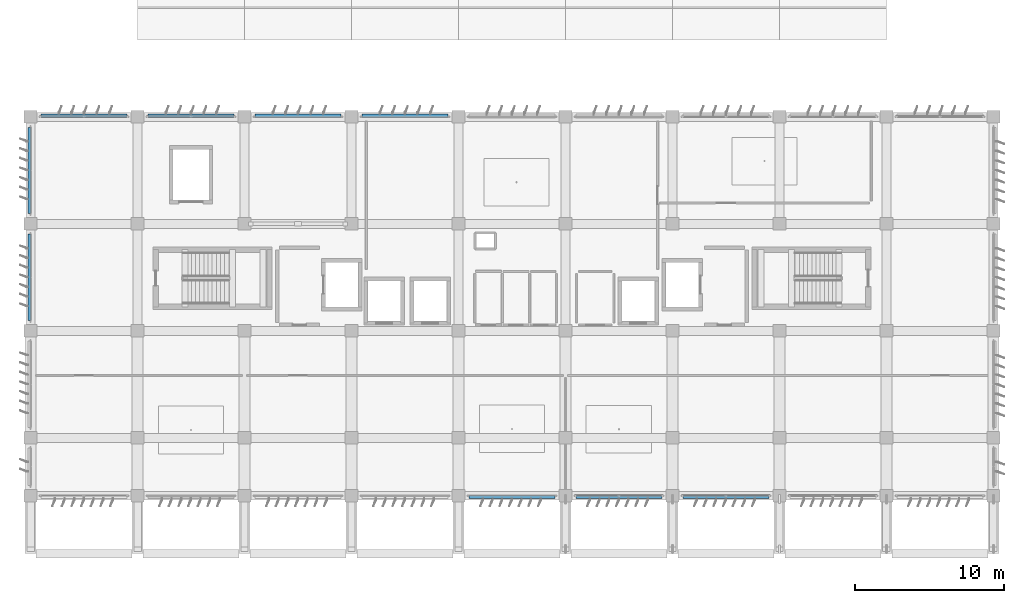
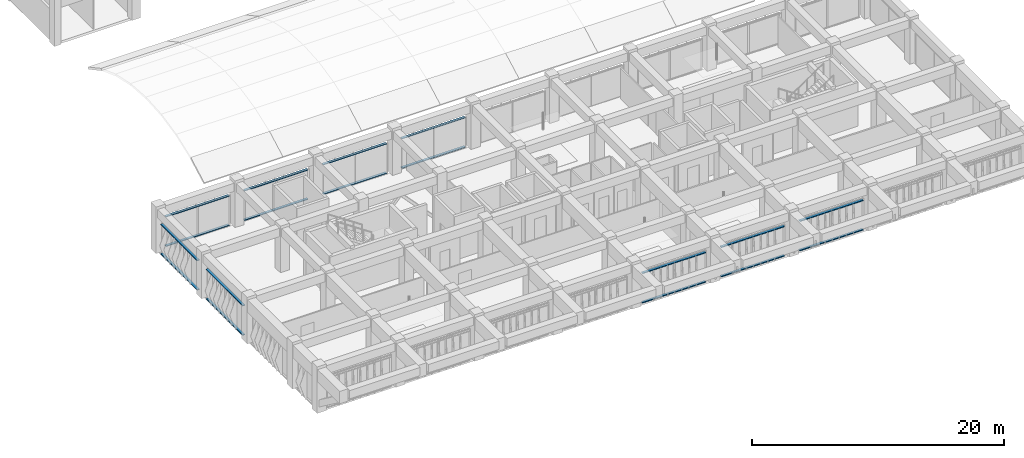
# One storey, part 41 of 56: 18 discrete accessories.
"""IFC4 building model written with IfcOpenShell, lengths in metres."""

from ifc_helpers import new_model, si_unit, direction, frame, origin, origin_2d, place, context, subcontext, project, spatial, rectangle, extrude, material, type_object, element, save


model = new_model("IFC4")

# Units and contexts
model_context = context("Model", 3, precision=1e-05, world=origin(), true_north=direction((0.0, 1.0)))
body_context = subcontext(model_context, "Body", "Model", "MODEL_VIEW")
ifc_project = project(units=[si_unit("LENGTHUNIT", "METRE"), si_unit("AREAUNIT", "SQUARE_METRE"), si_unit("VOLUMEUNIT", "CUBIC_METRE"), si_unit("PLANEANGLEUNIT", "RADIAN"), si_unit("MASSUNIT", "GRAM", prefix="KILO")], contexts=[model_context])

# Site, building, storey
site_placement = place(None, origin())
site = spatial("IfcSite", under=ifc_project, at=site_placement, CompositionType="ELEMENT")
building_placement = place(site_placement, origin())
building = spatial("IfcBuilding", under=site, at=building_placement, Name="Kazehaya Institute of Natural Sciences", CompositionType="ELEMENT")
storey_placement = place(building_placement, frame((0.0, 0.0, 24.300048828125)))
storey = spatial("IfcBuildingStorey", under=building, at=storey_placement, Name="L05", CompositionType="ELEMENT", Elevation=24.300048828125)

# Discrete accessories
ifc_material = material(Name="Aluminium alloy A6063S-T5", Category="aluminium")
discrete_accessory_type = type_object("IfcDiscreteAccessoryType", Name="ACC-BRK-01", PredefinedType="BRACKET", material=ifc_material)
for number, where, z_axis, x_axis, name in (
    (1, (101.39990234375, 10.02490234375, 0.039794921875), (0.0, 0.0, 1.0), (-1.0, 0.0, 0.0), "L05 fin support outrigger rail 1"),
    (2, (101.39990234375, 10.02490234375, 2.8798828125), (0.0, 0.0, 1.0), (-1.0, 0.0, 0.0), "L05 fin support outrigger rail 2"),
    (3, (94.199951171875, 10.02490234375, 0.039794921875), (0.0, 0.0, 1.0), (-1.0, 0.0, 0.0), "L05 fin support outrigger rail 1"),
    (4, (94.199951171875, 10.02490234375, 2.8798828125), (0.0, 0.0, 1.0), (-1.0, 0.0, 0.0), "L05 fin support outrigger rail 2"),
    (5, (87.0, 10.02490234375, 0.039794921875), (0.0, 0.0, 1.0), (-1.0, 0.0, 0.0), "L05 fin support outrigger rail 1"),
    (6, (87.0, 10.02490234375, 2.8798828125), (0.0, 0.0, 1.0), (-1.0, 0.0, 0.0), "L05 fin support outrigger rail 2"),
    (7, (58.199951171875, 35.675048828125, 0.039794921875), (0.0, 0.0, 1.0), (1.0, 0.0, 0.0), "L05 fin support outrigger rail 1"),
    (8, (58.199951171875, 35.675048828125, 2.8798828125), (0.0, 0.0, 1.0), (1.0, 0.0, 0.0), "L05 fin support outrigger rail 2"),
    (9, (65.39990234375, 35.675048828125, 0.039794921875), (0.0, 0.0, 1.0), (1.0, 0.0, 0.0), "L05 fin support outrigger rail 1"),
    (10, (65.39990234375, 35.675048828125, 2.8798828125), (0.0, 0.0, 1.0), (1.0, 0.0, 0.0), "L05 fin support outrigger rail 2"),
    (11, (72.60009765625, 35.675048828125, 0.039794921875), (0.0, 0.0, 1.0), (1.0, 0.0, 0.0), "L05 fin support outrigger rail 1"),
    (12, (72.60009765625, 35.675048828125, 2.8798828125), (0.0, 0.0, 1.0), (1.0, 0.0, 0.0), "L05 fin support outrigger rail 2"),
    (13, (79.800048828125, 35.675048828125, 0.039794921875), (0.0, 0.0, 1.0), (1.0, 0.0, 0.0), "L05 fin support outrigger rail 1"),
    (14, (79.800048828125, 35.675048828125, 2.8798828125), (0.0, 0.0, 1.0), (1.0, 0.0, 0.0), "L05 fin support outrigger rail 2"),
    (15, (54.52490234375, 24.800048828125, 0.039794921875), (0.0, 0.0, 1.0), (0.0, 1.0, 0.0), "L05 fin support outrigger rail 1"),
    (16, (54.52490234375, 24.800048828125, 2.8798828125), (0.0, 0.0, 1.0), (0.0, 1.0, 0.0), "L05 fin support outrigger rail 2"),
    (17, (54.52490234375, 32.0, 0.039794921875), (0.0, 0.0, 1.0), (0.0, 1.0, 0.0), "L05 fin support outrigger rail 1"),
    (18, (54.52490234375, 32.0, 2.8798828125), (0.0, 0.0, 1.0), (0.0, 1.0, 0.0), "L05 fin support outrigger rail 2"),
):
    element("IfcDiscreteAccessory", number, at=place(storey_placement, frame(where, z_axis=z_axis, x_axis=x_axis)), inside=storey, type_object=discrete_accessory_type, Name=name, PredefinedType="BRACKET", context=body_context, shape_type="SweptSolid", body=[
        extrude(rectangle(XDim=5.800048828125, YDim=0.219970703125, at=origin_2d()), origin(), (0.0, 0.0, 1.0), 0.080078125),
    ])

save(model, "model.ifc")
